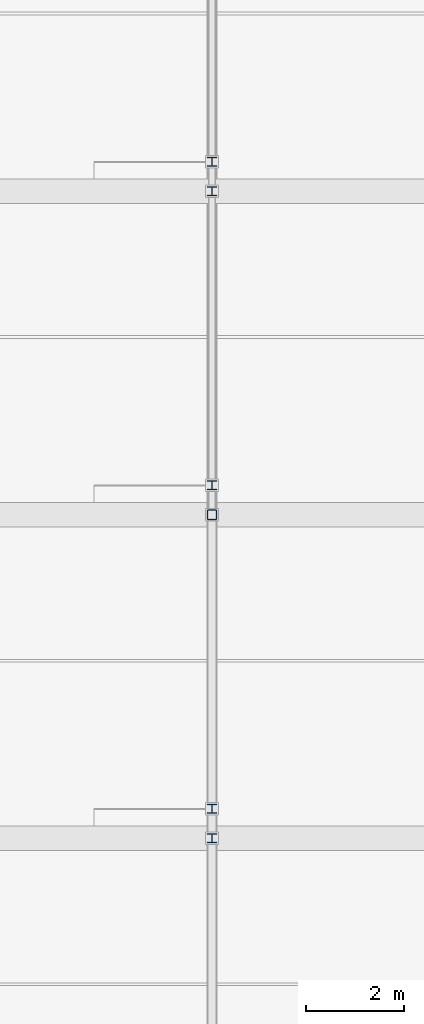
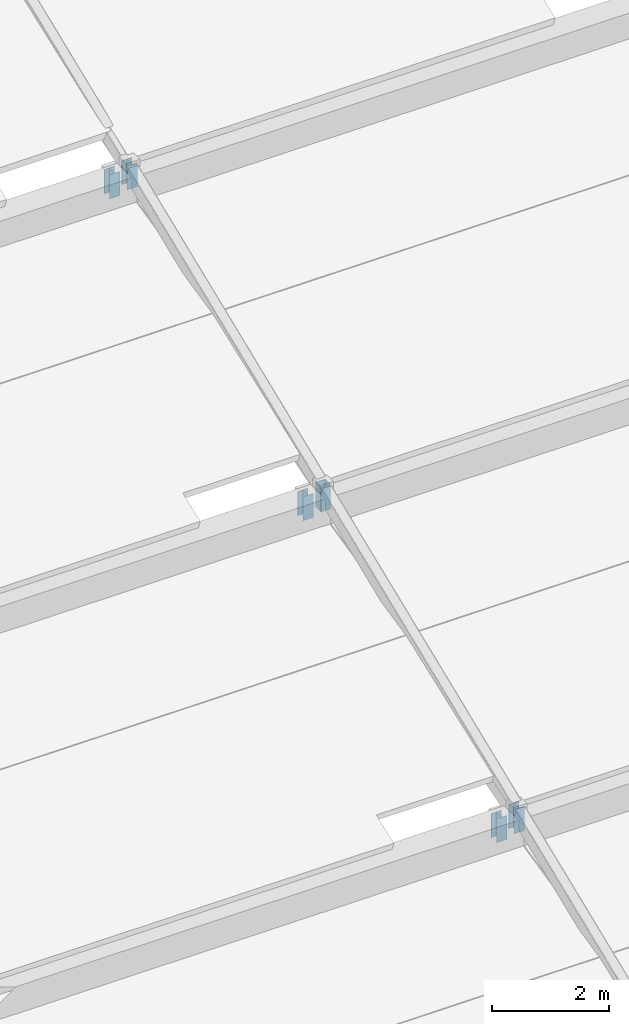
# One storey, part 73 of 112: 6 members.
"""IFC4 building model written with IfcOpenShell, lengths in metres."""

from ifc_helpers import new_model, si_unit, direction, frame, origin, origin_2d, place, context, subcontext, project, spatial, hollow_rectangle, i_section, extrude, material, material_profile, profile_set, type_object, element, save


model = new_model("IFC4")

# Units and contexts
model_context = context("Model", 3, precision=1e-05, world=origin(), true_north=direction((0.0, 1.0)))
body_context = subcontext(model_context, "Body", "Model", "MODEL_VIEW")
ifc_project = project(units=[si_unit("LENGTHUNIT", "METRE"), si_unit("AREAUNIT", "SQUARE_METRE"), si_unit("VOLUMEUNIT", "CUBIC_METRE"), si_unit("PLANEANGLEUNIT", "RADIAN"), si_unit("MASSUNIT", "GRAM", prefix="KILO")], contexts=[model_context])

# Site, building, storey
site_placement = place(None, origin())
site = spatial("IfcSite", under=ifc_project, at=site_placement, CompositionType="ELEMENT")
building_placement = place(site_placement, origin())
building = spatial("IfcBuilding", under=site, at=building_placement, Name="Zwinboog Wholesale Market", CompositionType="ELEMENT")
storey_placement = place(building_placement, frame((0.0, 0.0, 19.080078125)))
storey = spatial("IfcBuildingStorey", under=building, at=storey_placement, Name="Roof", CompositionType="ELEMENT", Elevation=19.080078125)

# Members
ifc_material = material(Name="Steel S355", Category="steel")
ifc_material_profile_1 = material_profile(ifc_material, hollow_rectangle(XDim=0.199951171875, YDim=0.199951171875, WallThickness=0.010009765625, InnerFilletRadius=0.010009765625, OuterFilletRadius=0.02001953125, at=origin_2d()), Name="SHS 200x200x10")
ifc_profile_set_1 = profile_set([ifc_material_profile_1], Name="Steel S355")
member_type_1 = type_object("IfcMemberType", Name="MT-04", PredefinedType="BRACE", material=ifc_profile_set_1)
member_placement = place(storey_placement, frame((118.800048828125, 56.39990234375, -4.630126953125), z_axis=(0.0, 0.0, 1.0), x_axis=(1.0, 0.0, 0.0)))
element("IfcMember", 1, at=member_placement, inside=storey, type_object=member_type_1, Name="DB-01 (MEM-Roof-0158)", PredefinedType="BRACE", context=body_context, shape_type="SweptSolid", body=[
    extrude(hollow_rectangle(XDim=0.199951171875, YDim=0.199951171875, WallThickness=0.010009765625, InnerFilletRadius=0.010009765625, OuterFilletRadius=0.02001953125, at=origin_2d()), origin(), (0.0, 0.0, 1.0), 0.5),
])
ifc_material_profile_2 = material_profile(ifc_material, i_section(OverallWidth=0.199951171875, OverallDepth=0.18994140625, WebThickness=0.006591796875, FlangeThickness=0.010009765625, FilletRadius=0.01806640625, at=origin_2d()), Name="HEA 200")
ifc_profile_set_2 = profile_set([ifc_material_profile_2], Name="Steel S355")
member_type_2 = type_object("IfcMemberType", Name="MT-05", PredefinedType="BRACE", material=ifc_profile_set_2)
for number, where, z_axis, x_axis, name in (
    (2, (118.800048828125, 50.39990234375, -7.880126953125), (0.0, 0.0, 1.0), (1.0, 0.0, 0.0), "DB-02 (MEM-Roof-0153)"),
    (3, (118.800048828125, 49.800048828125, -7.330078125), (0.0, 0.0, 1.0), (1.0, 0.0, 0.0), "DB-02 (MEM-Roof-0155)"),
    (4, (118.800048828125, 57.0, -5.18017578125), (0.0, 0.0, 1.0), (1.0, 0.0, 0.0), "DB-02 (MEM-Roof-0156)"),
    (5, (118.800048828125, 63.60009765625, -2.47998046875), (0.0, 0.0, 1.0), (1.0, 0.0, 0.0), "DB-02 (MEM-Roof-0159)"),
    (6, (118.800048828125, 63.0, -1.93017578125), (0.0, 0.0, 1.0), (1.0, 0.0, 0.0), "DB-02 (MEM-Roof-0161)"),
):
    element("IfcMember", number, at=place(storey_placement, frame(where, z_axis=z_axis, x_axis=x_axis)), inside=storey, type_object=member_type_2, Name=name, PredefinedType="BRACE", context=body_context, shape_type="SweptSolid", body=[
        extrude(i_section(OverallWidth=0.199951171875, OverallDepth=0.18994140625, WebThickness=0.006591796875, FlangeThickness=0.010009765625, FilletRadius=0.01806640625, at=origin_2d()), origin(), (0.0, 0.0, 1.0), 0.5),
    ])

save(model, "model.ifc")
